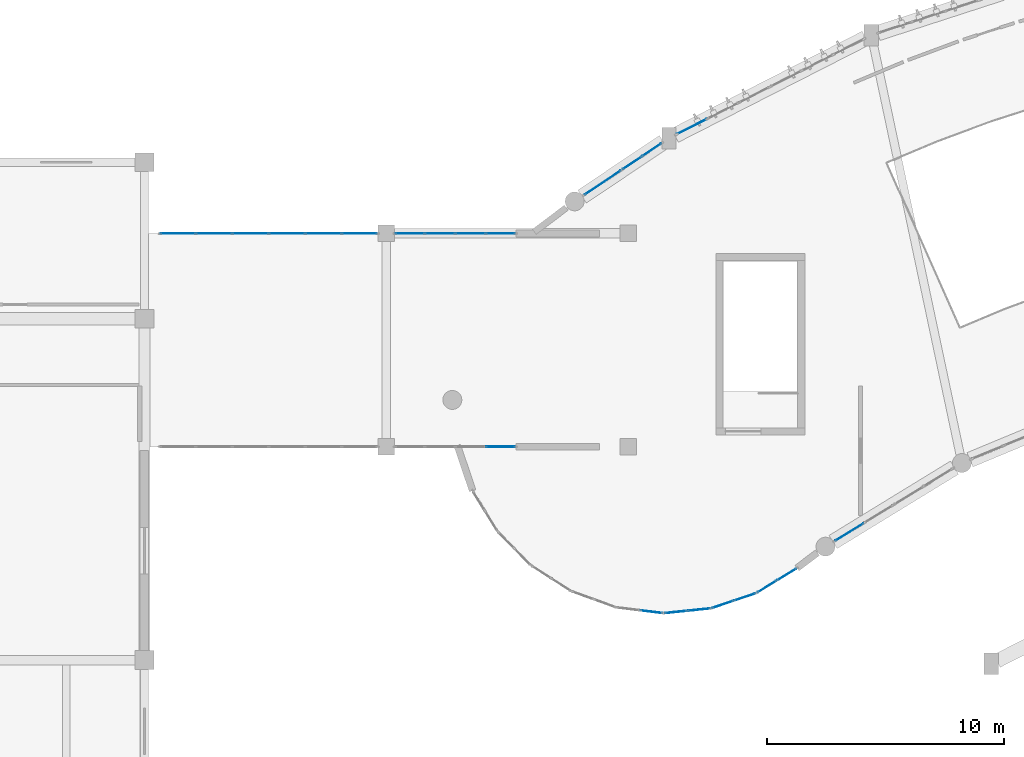
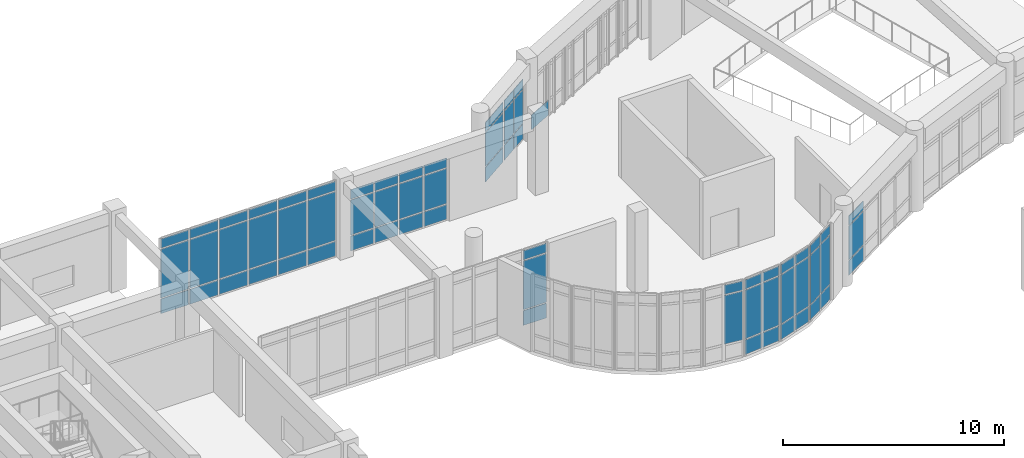
# One storey, part 33 of 54: 66 plates, 11 elements without a shape of their own.
"""IFC4 building model written with IfcOpenShell, lengths in metres."""

import ifcopenshell
import ifcopenshell.guid

model = None  # the IFC model being written
_history = None  # IfcOwnerHistory: only IFC2X3 demands one
_inside = {}  # id of a spatial element -> (the spatial element, [elements in it])
_under = {}  # id of a project, library or spatial element -> (it, [spatial elements below it])
_declared = {}  # id of a project -> (the project, [libraries it declares])
_typed = {}  # id of a type object -> (the type object, [elements of that type])
_made_of = {}  # id of a material, layer set ... -> (it, [elements and type objects made of it])


def new_model(schema):
    """Start an empty IFC model of exactly this schema.

    Asked for "IFC4X3", IfcOpenShell would pick the latest addendum, in which some entities
    have other attributes; the version numbers below select the first issue.
    IFC2X3 requires an IfcOwnerHistory on every rooted entity: one is made here for all.
    """
    global model, _history
    if schema == "IFC4X3":
        model = ifcopenshell.file(schema_version=(4, 3, 0, 0))
    else:
        model = ifcopenshell.file(schema=schema)
    _inside.clear()
    _under.clear()
    _declared.clear()
    _typed.clear()
    _made_of.clear()
    _history = None
    if model.schema == "IFC2X3":
        org = make("IfcOrganization", Name="unknown")
        user = make(
            "IfcPersonAndOrganization",
            ThePerson=make("IfcPerson", FamilyName="unknown"),
            TheOrganization=org,
        )
        app = make(
            "IfcApplication",
            ApplicationDeveloper=org,
            Version="unknown",
            ApplicationFullName="unknown",
            ApplicationIdentifier="unknown",
        )
        _history = make(
            "IfcOwnerHistory",
            OwningUser=user,
            OwningApplication=app,
            ChangeAction="ADDED",
            CreationDate=0,
        )
    return model


def make(cls, **values):
    """One entity of the class cls with the attributes given. An attribute that is None is left unset."""
    return model.create_entity(
        cls, **{name: value for name, value in values.items() if value is not None}
    )


def rooted(cls, **values):
    """An entity with a GlobalId (a new one), such as an element, a storey or a relation."""
    return make(cls, GlobalId=ifcopenshell.guid.new(), OwnerHistory=_history, **values)


def si_unit(unit_type, name, prefix=None):
    """IfcSIUnit, for example si_unit("LENGTHUNIT", "METRE", prefix="MILLI")."""
    return make("IfcSIUnit", UnitType=unit_type, Prefix=prefix, Name=name)


def assignment(units):
    """IfcUnitAssignment: the units of a project."""
    return None if units is None else make("IfcUnitAssignment", Units=units)


def point(xyz):
    """IfcCartesianPoint."""
    return None if xyz is None else make("IfcCartesianPoint", Coordinates=xyz)


def direction(xyz):
    """IfcDirection."""
    return None if xyz is None else make("IfcDirection", DirectionRatios=xyz)


def frame(location, z_axis=None, x_axis=None):
    """IfcAxis2Placement3D, a coordinate frame: its origin and axes. An axis left out is left unset."""
    return make(
        "IfcAxis2Placement3D",
        Location=point(location),
        Axis=direction(z_axis),
        RefDirection=direction(x_axis),
    )


def frame_2d(location, x_axis=None):
    """IfcAxis2Placement2D, a coordinate frame in the plane: its origin and x axis."""
    return make(
        "IfcAxis2Placement2D", Location=point(location), RefDirection=direction(x_axis)
    )


def origin():
    """The frame at (0, 0, 0) with its axes left unset."""
    return frame((0.0, 0.0, 0.0))


def origin_2d():
    """The frame at (0, 0) in the plane with its x axis left unset."""
    return frame_2d((0.0, 0.0))


def place(relative_to, where):
    """IfcLocalPlacement: puts the frame where relative to a parent placement (None: the world)."""
    return make(
        "IfcLocalPlacement", PlacementRelTo=relative_to, RelativePlacement=where
    )


def context(
    kind, dimensions, precision=None, world=None, true_north=None, identifier=None
):
    """IfcGeometricRepresentationContext, for example the 3D "Model" context."""
    return make(
        "IfcGeometricRepresentationContext",
        ContextIdentifier=identifier,
        ContextType=kind,
        CoordinateSpaceDimension=dimensions,
        Precision=precision,
        WorldCoordinateSystem=world,
        TrueNorth=true_north,
    )


def subcontext(parent, identifier, kind, view, scale=None):
    """IfcGeometricRepresentationSubContext, for example "Body" below "Model"."""
    return make(
        "IfcGeometricRepresentationSubContext",
        ContextIdentifier=identifier,
        ContextType=kind,
        ParentContext=parent,
        TargetScale=scale,
        TargetView=view,
    )


def project(units=None, contexts=None):
    """IfcProject with its units and contexts."""
    return rooted(
        "IfcProject",
        Name="project",
        RepresentationContexts=contexts,
        UnitsInContext=assignment(units),
    )


def spatial(cls, under=None, at=None, **own):
    """A site, building, storey or space (cls), placed at a placement, below another one or the project."""
    s = rooted(cls, ObjectPlacement=at, **own)
    if under is not None:
        _under.setdefault(under.id(), (under, []))[1].append(s)
    return s


def profile(cls, at=None, kind="AREA", **sizes):
    """A parametric profile (cls). Its sizes go by their IFC names, for example OverallWidth=200.0."""
    return make(cls, ProfileType=kind, Position=at, **sizes)


def rectangle(**sizes):
    """IfcRectangleProfileDef."""
    return profile("IfcRectangleProfileDef", **sizes)


def extrude(swept, where, along, depth):
    """IfcExtrudedAreaSolid: the profile swept, set in the frame where, extruded along a direction by depth."""
    return make(
        "IfcExtrudedAreaSolid",
        SweptArea=swept,
        Position=where,
        ExtrudedDirection=direction(along),
        Depth=depth,
    )


def shape(context_of_items, identifier, shape_type, items):
    """IfcShapeRepresentation: the items that make up one representation, for example the "Body"."""
    return make(
        "IfcShapeRepresentation",
        ContextOfItems=context_of_items,
        RepresentationIdentifier=identifier,
        RepresentationType=shape_type,
        Items=items,
    )


def material(Name=None, Category=None):
    """IfcMaterial."""
    return make("IfcMaterial", Name=Name, Category=Category)


def layer(
    of_material, thickness, ventilated=None, Name=None, Category=None, Priority=None
):
    """IfcMaterialLayer: one layer of a wall or slab, of a material (None: an air gap)."""
    return make(
        "IfcMaterialLayer",
        Material=of_material,
        LayerThickness=thickness,
        IsVentilated=ventilated,
        Name=Name,
        Category=Category,
        Priority=Priority,
    )


def layer_set(layers, Name=None):
    """IfcMaterialLayerSet."""
    return make("IfcMaterialLayerSet", MaterialLayers=layers, LayerSetName=Name)


def made_of(thing, what):
    """Note that an element or type object is made of a material, layer set ...; save() writes the relation."""
    if what is not None:
        _made_of.setdefault(what.id(), (what, []))[1].append(thing)
    return thing


def type_object(cls, material=None, **own):
    """A type object (cls), such as IfcWallType, which elements share."""
    return made_of(rooted(cls, **own), material)


def element(
    cls,
    number,
    at=None,
    inside=None,
    cuts=None,
    type_object=None,
    material=None,
    context=None,
    identifier="Body",
    shape_type=None,
    held_by="IfcProductDefinitionShape",
    body=None,
    shapes=None,
    **own,
):
    """One element of the class cls, such as IfcWall. Its Tag is "e" and its number.

    at: its placement. inside: the storey or other place that contains it. cuts: it is an
    opening in that element (IfcRelVoidsElement). A single representation is given by context,
    identifier, shape_type and body (its items); several are given by shapes. held_by: the class
    of the entity that holds the representations. save() writes the other relations.
    """
    e = rooted(cls, Tag="e%d" % number, ObjectPlacement=at, **own)
    if body is not None:
        shapes = [shape(context, identifier, shape_type, body)]
    if shapes is not None:
        e.Representation = make(held_by, Representations=shapes)
    if inside is not None:
        _inside.setdefault(inside.id(), (inside, []))[1].append(e)
    if cuts is not None:
        rooted(
            "IfcRelVoidsElement", RelatingBuildingElement=cuts, RelatedOpeningElement=e
        )
    if type_object is not None:
        _typed.setdefault(type_object.id(), (type_object, []))[1].append(e)
    return made_of(e, material)


def aggregate(whole, parts):
    """IfcRelAggregates: a whole, such as a stair, and the parts it consists of."""
    return rooted("IfcRelAggregates", RelatingObject=whole, RelatedObjects=parts)


def save(model, path):
    """Write the relations noted so far, then the file.

    IfcRelAggregates (storeys below a building ...), IfcRelContainedInSpatialStructure (elements
    in a storey), IfcRelDefinesByType, IfcRelAssociatesMaterial and IfcRelDeclares: one each for
    every whole, place, type object, material and project.
    """
    for whole, parts in _under.values():
        aggregate(whole, parts)
    for where, things in _inside.values():
        rooted(
            "IfcRelContainedInSpatialStructure",
            RelatedElements=things,
            RelatingStructure=where,
        )
    for kind, things in _typed.values():
        rooted("IfcRelDefinesByType", RelatedObjects=things, RelatingType=kind)
    for what, things in _made_of.values():
        rooted("IfcRelAssociatesMaterial", RelatedObjects=things, RelatingMaterial=what)
    for by, libraries in _declared.values():
        rooted("IfcRelDeclares", RelatingContext=by, RelatedDefinitions=libraries)
    model.write(path)


model = new_model("IFC4")

# Units and contexts
model_context = context("Model", 3, precision=1e-05, world=origin(), true_north=direction((0.0, 1.0)))
body_context = subcontext(model_context, "Body", "Model", "MODEL_VIEW")
ifc_project = project(units=[si_unit("LENGTHUNIT", "METRE"), si_unit("AREAUNIT", "SQUARE_METRE"), si_unit("VOLUMEUNIT", "CUBIC_METRE"), si_unit("PLANEANGLEUNIT", "RADIAN"), si_unit("MASSUNIT", "GRAM", prefix="KILO")], contexts=[model_context])

# Site, building, storey
site_placement = place(None, origin())
site = spatial("IfcSite", under=ifc_project, at=site_placement, CompositionType="ELEMENT")
building_placement = place(site_placement, origin())
building = spatial("IfcBuilding", under=site, at=building_placement, Name="Miralva Faculty of Natural Sciences", CompositionType="ELEMENT")
storey_placement = place(building_placement, frame((0.0, 0.0, 19.5)))
storey = spatial("IfcBuildingStorey", under=building, at=storey_placement, Name="L04", CompositionType="ELEMENT", Elevation=19.5)

# Curtain wall, plates
ifc_material = material(Name="Laminated solar-control glass", Category="glass")
ifc_layer_1 = layer(ifc_material, 0.179931640625, Name="CW-ARC-L03")
ifc_layer_set_1 = layer_set([ifc_layer_1], Name="Laminated solar-control glass")
curtain_wall_type_1 = type_object("IfcCurtainWallType", Name="CW-ARC-L03", PredefinedType="USERDEFINED", material=ifc_layer_set_1)
curtain_wall_1_placement = place(storey_placement, origin())
curtain_wall_1 = element("IfcCurtainWall", 1, at=curtain_wall_1_placement, inside=storey, type_object=curtain_wall_type_1, Name="Curtain wall CW-03 L04-157", ObjectType="UNITISED CURTAIN WALL", PredefinedType="USERDEFINED")
ifc_layer_2 = layer(ifc_material, 0.028076171875, Name="PNL-P01")
ifc_layer_set_2 = layer_set([ifc_layer_2], Name="Laminated solar-control glass")
plate_type = type_object("IfcPlateType", Name="PNL-P01", PredefinedType="CURTAIN_PANEL", material=ifc_layer_set_2)
plate_1_placement = place(storey_placement, frame((65.72998046875, 14.403564453125, 0.06494140625), z_axis=(0.0, 0.0, 1.0), x_axis=(0.852640729642, 0.522497642249, 0.0)))
plate_1 = element("IfcPlate", 2, at=plate_1_placement, type_object=plate_type, Name="CW-03 panel 1.1", PredefinedType="CURTAIN_PANEL", context=body_context, shape_type="SweptSolid", body=[
    extrude(rectangle(XDim=1.376953125, YDim=0.028076171875, at=origin_2d()), origin(), (0.0, 0.0, 1.0), 0.802490234375),
])
plate_2_placement = place(storey_placement, frame((65.72998046875, 14.403564453125, 0.9326171875), z_axis=(0.0, 0.0, 1.0), x_axis=(0.852640729642, 0.522497642249, 0.0)))
plate_2 = element("IfcPlate", 3, at=plate_2_placement, type_object=plate_type, Name="CW-03 panel 1.2", PredefinedType="CURTAIN_PANEL", context=body_context, shape_type="SweptSolid", body=[
    extrude(rectangle(XDim=1.376953125, YDim=0.028076171875, at=origin_2d()), origin(), (0.0, 0.0, 1.0), 1.840087890625),
])
plate_3_placement = place(storey_placement, frame((65.72998046875, 14.403564453125, 2.837646484375), z_axis=(0.0, 0.0, 1.0), x_axis=(0.852640729642, 0.522497642249, 0.0)))
plate_3 = element("IfcPlate", 4, at=plate_3_placement, type_object=plate_type, Name="CW-03 panel 1.3", PredefinedType="CURTAIN_PANEL", context=body_context, shape_type="SweptSolid", body=[
    extrude(rectangle(XDim=1.376953125, YDim=0.028076171875, at=origin_2d()), origin(), (0.0, 0.0, 1.0), 0.50244140625),
])
aggregate(curtain_wall_1, [plate_1, plate_2, plate_3])

curtain_wall_2_placement = place(storey_placement, origin())
curtain_wall_2 = element("IfcCurtainWall", 5, at=curtain_wall_2_placement, inside=storey, type_object=curtain_wall_type_1, Name="Curtain wall CW-03 L04-173", ObjectType="UNITISED CURTAIN WALL", PredefinedType="USERDEFINED")
plate_4_placement = place(storey_placement, frame((55.333984375, 29.14453125, 0.06005859375), z_axis=(0.0, 0.0, 1.0), x_axis=(0.831483840844, 0.555548937913, 0.0)))
plate_4 = element("IfcPlate", 6, at=plate_4_placement, type_object=plate_type, Name="CW-03 panel 1.1", PredefinedType="CURTAIN_PANEL", context=body_context, shape_type="SweptSolid", body=[
    extrude(rectangle(XDim=1.7998046875, YDim=0.028076171875, at=origin_2d()), origin(), (0.0, 0.0, 1.0), 0.81005859375),
])
plate_5_placement = place(storey_placement, frame((55.333984375, 29.14453125, 0.93017578125), z_axis=(0.0, 0.0, 1.0), x_axis=(0.831483840844, 0.555548937913, 0.0)))
plate_5 = element("IfcPlate", 7, at=plate_5_placement, type_object=plate_type, Name="CW-03 panel 1.2", PredefinedType="CURTAIN_PANEL", context=body_context, shape_type="SweptSolid", body=[
    extrude(rectangle(XDim=1.7998046875, YDim=0.028076171875, at=origin_2d()), origin(), (0.0, 0.0, 1.0), 1.844970703125),
])
plate_6_placement = place(storey_placement, frame((55.333984375, 29.14453125, 2.8349609375), z_axis=(0.0, 0.0, 1.0), x_axis=(0.831483840844, 0.555548937913, 0.0)))
plate_6 = element("IfcPlate", 8, at=plate_6_placement, type_object=plate_type, Name="CW-03 panel 1.3", PredefinedType="CURTAIN_PANEL", context=body_context, shape_type="SweptSolid", body=[
    extrude(rectangle(XDim=1.7998046875, YDim=0.028076171875, at=origin_2d()), origin(), (0.0, 0.0, 1.0), 0.510009765625),
])
aggregate(curtain_wall_2, [plate_4, plate_5, plate_6])

curtain_wall_3_placement = place(storey_placement, origin())
curtain_wall_3 = element("IfcCurtainWall", 9, at=curtain_wall_3_placement, inside=storey, type_object=curtain_wall_type_1, Name="Curtain wall CW-03 L04-174", ObjectType="UNITISED CURTAIN WALL", PredefinedType="USERDEFINED")
plate_7_placement = place(storey_placement, frame((56.57275390625, 29.97216796875, 0.06005859375), z_axis=(0.0, 0.0, 1.0), x_axis=(0.831458377074, 0.55558704736, 0.0)))
plate_7 = element("IfcPlate", 10, at=plate_7_placement, type_object=plate_type, Name="CW-03 panel 1.1", PredefinedType="CURTAIN_PANEL", context=body_context, shape_type="SweptSolid", body=[
    extrude(rectangle(XDim=0.929931640625, YDim=0.028076171875, at=origin_2d()), origin(), (0.0, 0.0, 1.0), 0.81005859375),
])
plate_8_placement = place(storey_placement, frame((56.57275390625, 29.97216796875, 0.93017578125), z_axis=(0.0, 0.0, 1.0), x_axis=(0.831458377074, 0.55558704736, 0.0)))
plate_8 = element("IfcPlate", 11, at=plate_8_placement, type_object=plate_type, Name="CW-03 panel 1.2", PredefinedType="CURTAIN_PANEL", context=body_context, shape_type="SweptSolid", body=[
    extrude(rectangle(XDim=0.929931640625, YDim=0.028076171875, at=origin_2d()), origin(), (0.0, 0.0, 1.0), 1.844970703125),
])
plate_9_placement = place(storey_placement, frame((56.57275390625, 29.97216796875, 2.8349609375), z_axis=(0.0, 0.0, 1.0), x_axis=(0.831458377074, 0.55558704736, 0.0)))
plate_9 = element("IfcPlate", 12, at=plate_9_placement, type_object=plate_type, Name="CW-03 panel 1.3", PredefinedType="CURTAIN_PANEL", context=body_context, shape_type="SweptSolid", body=[
    extrude(rectangle(XDim=0.929931640625, YDim=0.028076171875, at=origin_2d()), origin(), (0.0, 0.0, 1.0), 0.510009765625),
])
plate_10_placement = place(storey_placement, frame((57.400146484375, 30.52490234375, 0.06005859375), z_axis=(0.0, 0.0, 1.0), x_axis=(0.831458377074, 0.55558704736, 0.0)))
plate_10 = element("IfcPlate", 13, at=plate_10_placement, type_object=plate_type, Name="CW-03 panel 2.1", PredefinedType="CURTAIN_PANEL", context=body_context, shape_type="SweptSolid", body=[
    extrude(rectangle(XDim=0.929931640625, YDim=0.028076171875, at=origin_2d()), origin(), (0.0, 0.0, 1.0), 0.81005859375),
])
plate_11_placement = place(storey_placement, frame((57.400146484375, 30.52490234375, 0.93017578125), z_axis=(0.0, 0.0, 1.0), x_axis=(0.831458377074, 0.55558704736, 0.0)))
plate_11 = element("IfcPlate", 14, at=plate_11_placement, type_object=plate_type, Name="CW-03 panel 2.2", PredefinedType="CURTAIN_PANEL", context=body_context, shape_type="SweptSolid", body=[
    extrude(rectangle(XDim=0.929931640625, YDim=0.028076171875, at=origin_2d()), origin(), (0.0, 0.0, 1.0), 1.844970703125),
])
plate_12_placement = place(storey_placement, frame((57.400146484375, 30.52490234375, 2.8349609375), z_axis=(0.0, 0.0, 1.0), x_axis=(0.831458377074, 0.55558704736, 0.0)))
plate_12 = element("IfcPlate", 15, at=plate_12_placement, type_object=plate_type, Name="CW-03 panel 2.3", PredefinedType="CURTAIN_PANEL", context=body_context, shape_type="SweptSolid", body=[
    extrude(rectangle(XDim=0.929931640625, YDim=0.028076171875, at=origin_2d()), origin(), (0.0, 0.0, 1.0), 0.510009765625),
])
aggregate(curtain_wall_3, [plate_7, plate_8, plate_9, plate_10, plate_11, plate_12])

# Curtain wall, plate
curtain_wall_4_placement = place(storey_placement, origin())
curtain_wall_4 = element("IfcCurtainWall", 16, at=curtain_wall_4_placement, inside=storey, type_object=curtain_wall_type_1, Name="Curtain wall CW-03 L04-175", ObjectType="UNITISED CURTAIN WALL", PredefinedType="USERDEFINED")
plate_13_placement = place(storey_placement, frame((59.086669921875, 31.499755859375, 0.06005859375), z_axis=(0.0, 0.0, 1.0), x_axis=(0.89100160052, 0.454000162854, 0.0)))
plate_13 = element("IfcPlate", 17, at=plate_13_placement, type_object=plate_type, Name="CW-03 panel 1.1", PredefinedType="CURTAIN_PANEL", context=body_context, shape_type="SweptSolid", body=[
    extrude(rectangle(XDim=1.392822265625, YDim=0.028076171875, at=origin_2d()), origin(), (0.0, 0.0, 1.0), 0.81005859375),
])
aggregate(curtain_wall_4, [plate_13])

# Curtain wall, plates
ifc_layer_3 = layer(ifc_material, 0.179931640625, Name="CW-RND-L03")
ifc_layer_set_3 = layer_set([ifc_layer_3], Name="Laminated solar-control glass")
curtain_wall_type_2 = type_object("IfcCurtainWallType", Name="CW-RND-L03", PredefinedType="USERDEFINED", material=ifc_layer_set_3)
curtain_wall_5_placement = place(storey_placement, origin())
curtain_wall_5 = element("IfcCurtainWall", 18, at=curtain_wall_5_placement, inside=storey, type_object=curtain_wall_type_2, Name="Curtain wall CW-06 L04-189", ObjectType="UNITISED CURTAIN WALL", PredefinedType="USERDEFINED")
plate_14_placement = place(storey_placement, frame((62.253662109375, 12.102294921875, 0.06005859375), z_axis=(0.0, 0.0, 1.0), x_axis=(0.851994617353, 0.523550543884, 0.0)))
plate_14 = element("IfcPlate", 19, at=plate_14_placement, type_object=plate_type, Name="CW-06 panel 1.1", PredefinedType="CURTAIN_PANEL", context=body_context, shape_type="SweptSolid", body=[
    extrude(rectangle(XDim=0.91259765625, YDim=0.028076171875, at=origin_2d()), origin(), (0.0, 0.0, 1.0), 0.81005859375),
])
plate_15_placement = place(storey_placement, frame((62.253662109375, 12.102294921875, 0.929931640625), z_axis=(0.0, 0.0, 1.0), x_axis=(0.851994617353, 0.523550543884, 0.0)))
plate_15 = element("IfcPlate", 20, at=plate_15_placement, type_object=plate_type, Name="CW-06 panel 1.2", PredefinedType="CURTAIN_PANEL", context=body_context, shape_type="SweptSolid", body=[
    extrude(rectangle(XDim=0.91259765625, YDim=0.028076171875, at=origin_2d()), origin(), (0.0, 0.0, 1.0), 2.68994140625),
])
plate_16_placement = place(storey_placement, frame((62.253662109375, 12.102294921875, 3.68017578125), z_axis=(0.0, 0.0, 1.0), x_axis=(0.851994617353, 0.523550543884, 0.0)))
plate_16 = element("IfcPlate", 21, at=plate_16_placement, type_object=plate_type, Name="CW-06 panel 1.3", PredefinedType="CURTAIN_PANEL", context=body_context, shape_type="SweptSolid", body=[
    extrude(rectangle(XDim=0.91259765625, YDim=0.028076171875, at=origin_2d()), origin(), (0.0, 0.0, 1.0), 0.510009765625),
])
plate_17_placement = place(storey_placement, frame((63.086669921875, 12.6142578125, 0.06005859375), z_axis=(0.0, 0.0, 1.0), x_axis=(0.851994617353, 0.523550543884, 0.0)))
plate_17 = element("IfcPlate", 22, at=plate_17_placement, type_object=plate_type, Name="CW-06 panel 2.1", PredefinedType="CURTAIN_PANEL", context=body_context, shape_type="SweptSolid", body=[
    extrude(rectangle(XDim=0.91259765625, YDim=0.028076171875, at=origin_2d()), origin(), (0.0, 0.0, 1.0), 0.81005859375),
])
plate_18_placement = place(storey_placement, frame((63.086669921875, 12.6142578125, 0.929931640625), z_axis=(0.0, 0.0, 1.0), x_axis=(0.851994617353, 0.523550543884, 0.0)))
plate_18 = element("IfcPlate", 23, at=plate_18_placement, type_object=plate_type, Name="CW-06 panel 2.2", PredefinedType="CURTAIN_PANEL", context=body_context, shape_type="SweptSolid", body=[
    extrude(rectangle(XDim=0.91259765625, YDim=0.028076171875, at=origin_2d()), origin(), (0.0, 0.0, 1.0), 2.68994140625),
])
plate_19_placement = place(storey_placement, frame((63.086669921875, 12.6142578125, 3.68017578125), z_axis=(0.0, 0.0, 1.0), x_axis=(0.851994617353, 0.523550543884, 0.0)))
plate_19 = element("IfcPlate", 24, at=plate_19_placement, type_object=plate_type, Name="CW-06 panel 2.3", PredefinedType="CURTAIN_PANEL", context=body_context, shape_type="SweptSolid", body=[
    extrude(rectangle(XDim=0.91259765625, YDim=0.028076171875, at=origin_2d()), origin(), (0.0, 0.0, 1.0), 0.510009765625),
])
aggregate(curtain_wall_5, [plate_14, plate_15, plate_16, plate_17, plate_18, plate_19])

curtain_wall_6_placement = place(storey_placement, origin())
curtain_wall_6 = element("IfcCurtainWall", 25, at=curtain_wall_6_placement, inside=storey, type_object=curtain_wall_type_2, Name="Curtain wall CW-06 L04-190", ObjectType="UNITISED CURTAIN WALL", PredefinedType="USERDEFINED")
plate_20_placement = place(storey_placement, frame((60.39453125, 11.349853515625, 0.06005859375), z_axis=(0.0, 0.0, 1.0), x_axis=(0.947132688672, 0.320842126361, 0.0)))
plate_20 = element("IfcPlate", 26, at=plate_20_placement, type_object=plate_type, Name="CW-06 panel 1.1", PredefinedType="CURTAIN_PANEL", context=body_context, shape_type="SweptSolid", body=[
    extrude(rectangle(XDim=0.91259765625, YDim=0.028076171875, at=origin_2d()), origin(), (0.0, 0.0, 1.0), 0.81005859375),
])
plate_21_placement = place(storey_placement, frame((60.39453125, 11.349853515625, 0.929931640625), z_axis=(0.0, 0.0, 1.0), x_axis=(0.947132688672, 0.320842126361, 0.0)))
plate_21 = element("IfcPlate", 27, at=plate_21_placement, type_object=plate_type, Name="CW-06 panel 1.2", PredefinedType="CURTAIN_PANEL", context=body_context, shape_type="SweptSolid", body=[
    extrude(rectangle(XDim=0.91259765625, YDim=0.028076171875, at=origin_2d()), origin(), (0.0, 0.0, 1.0), 2.68994140625),
])
plate_22_placement = place(storey_placement, frame((60.39453125, 11.349853515625, 3.68017578125), z_axis=(0.0, 0.0, 1.0), x_axis=(0.947132688672, 0.320842126361, 0.0)))
plate_22 = element("IfcPlate", 28, at=plate_22_placement, type_object=plate_type, Name="CW-06 panel 1.3", PredefinedType="CURTAIN_PANEL", context=body_context, shape_type="SweptSolid", body=[
    extrude(rectangle(XDim=0.91259765625, YDim=0.028076171875, at=origin_2d()), origin(), (0.0, 0.0, 1.0), 0.510009765625),
])
plate_23_placement = place(storey_placement, frame((61.3203125, 11.66357421875, 0.06005859375), z_axis=(0.0, 0.0, 1.0), x_axis=(0.947132688672, 0.320842126361, 0.0)))
plate_23 = element("IfcPlate", 29, at=plate_23_placement, type_object=plate_type, Name="CW-06 panel 2.1", PredefinedType="CURTAIN_PANEL", context=body_context, shape_type="SweptSolid", body=[
    extrude(rectangle(XDim=0.91259765625, YDim=0.028076171875, at=origin_2d()), origin(), (0.0, 0.0, 1.0), 0.81005859375),
])
plate_24_placement = place(storey_placement, frame((61.3203125, 11.66357421875, 0.929931640625), z_axis=(0.0, 0.0, 1.0), x_axis=(0.947132688672, 0.320842126361, 0.0)))
plate_24 = element("IfcPlate", 30, at=plate_24_placement, type_object=plate_type, Name="CW-06 panel 2.2", PredefinedType="CURTAIN_PANEL", context=body_context, shape_type="SweptSolid", body=[
    extrude(rectangle(XDim=0.91259765625, YDim=0.028076171875, at=origin_2d()), origin(), (0.0, 0.0, 1.0), 2.68994140625),
])
plate_25_placement = place(storey_placement, frame((61.3203125, 11.66357421875, 3.68017578125), z_axis=(0.0, 0.0, 1.0), x_axis=(0.947132688672, 0.320842126361, 0.0)))
plate_25 = element("IfcPlate", 31, at=plate_25_placement, type_object=plate_type, Name="CW-06 panel 2.3", PredefinedType="CURTAIN_PANEL", context=body_context, shape_type="SweptSolid", body=[
    extrude(rectangle(XDim=0.91259765625, YDim=0.028076171875, at=origin_2d()), origin(), (0.0, 0.0, 1.0), 0.510009765625),
])
aggregate(curtain_wall_6, [plate_20, plate_21, plate_22, plate_23, plate_24, plate_25])

curtain_wall_7_placement = place(storey_placement, origin())
curtain_wall_7 = element("IfcCurtainWall", 32, at=curtain_wall_7_placement, inside=storey, type_object=curtain_wall_type_2, Name="Curtain wall CW-06 L04-191", ObjectType="UNITISED CURTAIN WALL", PredefinedType="USERDEFINED")
plate_26_placement = place(storey_placement, frame((58.41455078125, 11.0302734375, 0.06005859375), z_axis=(0.0, 0.0, 1.0), x_axis=(0.994778604482, 0.102056494477, 0.0)))
plate_26 = element("IfcPlate", 33, at=plate_26_placement, type_object=plate_type, Name="CW-06 panel 1.1", PredefinedType="CURTAIN_PANEL", context=body_context, shape_type="SweptSolid", body=[
    extrude(rectangle(XDim=0.912841796875, YDim=0.028076171875, at=origin_2d()), origin(), (0.0, 0.0, 1.0), 0.81005859375),
])
plate_27_placement = place(storey_placement, frame((58.41455078125, 11.0302734375, 0.929931640625), z_axis=(0.0, 0.0, 1.0), x_axis=(0.994778604482, 0.102056494477, 0.0)))
plate_27 = element("IfcPlate", 34, at=plate_27_placement, type_object=plate_type, Name="CW-06 panel 1.2", PredefinedType="CURTAIN_PANEL", context=body_context, shape_type="SweptSolid", body=[
    extrude(rectangle(XDim=0.912841796875, YDim=0.028076171875, at=origin_2d()), origin(), (0.0, 0.0, 1.0), 2.68994140625),
])
plate_28_placement = place(storey_placement, frame((58.41455078125, 11.0302734375, 3.68017578125), z_axis=(0.0, 0.0, 1.0), x_axis=(0.994778604482, 0.102056494477, 0.0)))
plate_28 = element("IfcPlate", 35, at=plate_28_placement, type_object=plate_type, Name="CW-06 panel 1.3", PredefinedType="CURTAIN_PANEL", context=body_context, shape_type="SweptSolid", body=[
    extrude(rectangle(XDim=0.912841796875, YDim=0.028076171875, at=origin_2d()), origin(), (0.0, 0.0, 1.0), 0.510009765625),
])
plate_29_placement = place(storey_placement, frame((59.386962890625, 11.1298828125, 0.06005859375), z_axis=(0.0, 0.0, 1.0), x_axis=(0.994778604482, 0.102056494477, 0.0)))
plate_29 = element("IfcPlate", 36, at=plate_29_placement, type_object=plate_type, Name="CW-06 panel 2.1", PredefinedType="CURTAIN_PANEL", context=body_context, shape_type="SweptSolid", body=[
    extrude(rectangle(XDim=0.912841796875, YDim=0.028076171875, at=origin_2d()), origin(), (0.0, 0.0, 1.0), 0.81005859375),
])
plate_30_placement = place(storey_placement, frame((59.386962890625, 11.1298828125, 0.929931640625), z_axis=(0.0, 0.0, 1.0), x_axis=(0.994778604482, 0.102056494477, 0.0)))
plate_30 = element("IfcPlate", 37, at=plate_30_placement, type_object=plate_type, Name="CW-06 panel 2.2", PredefinedType="CURTAIN_PANEL", context=body_context, shape_type="SweptSolid", body=[
    extrude(rectangle(XDim=0.912841796875, YDim=0.028076171875, at=origin_2d()), origin(), (0.0, 0.0, 1.0), 2.68994140625),
])
plate_31_placement = place(storey_placement, frame((59.386962890625, 11.1298828125, 3.68017578125), z_axis=(0.0, 0.0, 1.0), x_axis=(0.994778604482, 0.102056494477, 0.0)))
plate_31 = element("IfcPlate", 38, at=plate_31_placement, type_object=plate_type, Name="CW-06 panel 2.3", PredefinedType="CURTAIN_PANEL", context=body_context, shape_type="SweptSolid", body=[
    extrude(rectangle(XDim=0.912841796875, YDim=0.028076171875, at=origin_2d()), origin(), (0.0, 0.0, 1.0), 0.510009765625),
])
aggregate(curtain_wall_7, [plate_26, plate_27, plate_28, plate_29, plate_30, plate_31])

curtain_wall_8_placement = place(storey_placement, origin())
curtain_wall_8 = element("IfcCurtainWall", 39, at=curtain_wall_8_placement, inside=storey, type_object=curtain_wall_type_2, Name="Curtain wall CW-06 L04-192", ObjectType="UNITISED CURTAIN WALL", PredefinedType="USERDEFINED")
plate_32_placement = place(storey_placement, frame((57.38330078125, 11.0400390625, 0.929931640625), z_axis=(0.0, 0.0, 1.0), x_axis=(0.99254734183, -0.121859649701, 0.0)))
plate_32 = element("IfcPlate", 40, at=plate_32_placement, type_object=plate_type, Name="CW-06 panel 2.2", PredefinedType="CURTAIN_PANEL", context=body_context, shape_type="SweptSolid", body=[
    extrude(rectangle(XDim=0.91259765625, YDim=0.028076171875, at=origin_2d()), origin(), (0.0, 0.0, 1.0), 2.68994140625),
])
plate_33_placement = place(storey_placement, frame((57.38330078125, 11.0400390625, 3.68017578125), z_axis=(0.0, 0.0, 1.0), x_axis=(0.99254734183, -0.121859649701, 0.0)))
plate_33 = element("IfcPlate", 41, at=plate_33_placement, type_object=plate_type, Name="CW-06 panel 2.3", PredefinedType="CURTAIN_PANEL", context=body_context, shape_type="SweptSolid", body=[
    extrude(rectangle(XDim=0.91259765625, YDim=0.028076171875, at=origin_2d()), origin(), (0.0, 0.0, 1.0), 0.510009765625),
])
aggregate(curtain_wall_8, [plate_32, plate_33])

ifc_layer_4 = layer(ifc_material, 0.179931640625, Name="CW-COM-L01")
ifc_layer_set_4 = layer_set([ifc_layer_4], Name="Laminated solar-control glass")
curtain_wall_type_3 = type_object("IfcCurtainWallType", Name="CW-COM-L01", PredefinedType="USERDEFINED", material=ifc_layer_set_4)
curtain_wall_9_placement = place(storey_placement, origin())
curtain_wall_9 = element("IfcCurtainWall", 42, at=curtain_wall_9_placement, inside=storey, type_object=curtain_wall_type_3, Name="Curtain wall CW-10 L04-307", ObjectType="UNITISED CURTAIN WALL", PredefinedType="USERDEFINED")
plate_34_placement = place(storey_placement, frame((51.02197265625, 18.0, 0.06005859375), z_axis=(0.0, 0.0, 1.0), x_axis=(1.0, 0.0, 0.0)))
plate_34 = element("IfcPlate", 43, at=plate_34_placement, type_object=plate_type, Name="CW-10 panel 4.1", PredefinedType="CURTAIN_PANEL", context=body_context, shape_type="SweptSolid", body=[
    extrude(rectangle(XDim=1.1962890625, YDim=0.028076171875, at=origin_2d()), origin(), (0.0, 0.0, 1.0), 0.81005859375),
])
plate_35_placement = place(storey_placement, frame((51.02197265625, 18.0, 0.929931640625), z_axis=(0.0, 0.0, 1.0), x_axis=(1.0, 0.0, 0.0)))
plate_35 = element("IfcPlate", 44, at=plate_35_placement, type_object=plate_type, Name="CW-10 panel 4.2", PredefinedType="CURTAIN_PANEL", context=body_context, shape_type="SweptSolid", body=[
    extrude(rectangle(XDim=1.1962890625, YDim=0.028076171875, at=origin_2d()), origin(), (0.0, 0.0, 1.0), 2.68994140625),
])
plate_36_placement = place(storey_placement, frame((51.02197265625, 18.0, 3.68017578125), z_axis=(0.0, 0.0, 1.0), x_axis=(1.0, 0.0, 0.0)))
plate_36 = element("IfcPlate", 45, at=plate_36_placement, type_object=plate_type, Name="CW-10 panel 4.3", PredefinedType="CURTAIN_PANEL", context=body_context, shape_type="SweptSolid", body=[
    extrude(rectangle(XDim=1.1962890625, YDim=0.028076171875, at=origin_2d()), origin(), (0.0, 0.0, 1.0), 0.510009765625),
])
aggregate(curtain_wall_9, [plate_34, plate_35, plate_36])

curtain_wall_10_placement = place(storey_placement, origin())
curtain_wall_10 = element("IfcCurtainWall", 46, at=curtain_wall_10_placement, inside=storey, type_object=curtain_wall_type_3, Name="Curtain wall CW-10 L04-309", ObjectType="UNITISED CURTAIN WALL", PredefinedType="USERDEFINED")
plate_37_placement = place(storey_placement, frame((37.405517578125, 27.0, 0.06005859375), z_axis=(0.0, 0.0, 1.0), x_axis=(1.0, 0.0, 0.0)))
plate_37 = element("IfcPlate", 47, at=plate_37_placement, type_object=plate_type, Name="CW-10 panel 1.1", PredefinedType="CURTAIN_PANEL", context=body_context, shape_type="SweptSolid", body=[
    extrude(rectangle(XDim=1.450927734375, YDim=0.028076171875, at=origin_2d()), origin(), (0.0, 0.0, 1.0), 0.81005859375),
])
plate_38_placement = place(storey_placement, frame((37.405517578125, 27.0, 0.929931640625), z_axis=(0.0, 0.0, 1.0), x_axis=(1.0, 0.0, 0.0)))
plate_38 = element("IfcPlate", 48, at=plate_38_placement, type_object=plate_type, Name="CW-10 panel 1.2", PredefinedType="CURTAIN_PANEL", context=body_context, shape_type="SweptSolid", body=[
    extrude(rectangle(XDim=1.450927734375, YDim=0.028076171875, at=origin_2d()), origin(), (0.0, 0.0, 1.0), 2.68994140625),
])
plate_39_placement = place(storey_placement, frame((37.405517578125, 27.0, 3.68017578125), z_axis=(0.0, 0.0, 1.0), x_axis=(1.0, 0.0, 0.0)))
plate_39 = element("IfcPlate", 49, at=plate_39_placement, type_object=plate_type, Name="CW-10 panel 1.3", PredefinedType="CURTAIN_PANEL", context=body_context, shape_type="SweptSolid", body=[
    extrude(rectangle(XDim=1.450927734375, YDim=0.028076171875, at=origin_2d()), origin(), (0.0, 0.0, 1.0), 0.510009765625),
])
plate_40_placement = place(storey_placement, frame((38.93115234375, 27.0, 0.06005859375), z_axis=(0.0, 0.0, 1.0), x_axis=(1.0, 0.0, 0.0)))
plate_40 = element("IfcPlate", 50, at=plate_40_placement, type_object=plate_type, Name="CW-10 panel 2.1", PredefinedType="CURTAIN_PANEL", context=body_context, shape_type="SweptSolid", body=[
    extrude(rectangle(XDim=1.480712890625, YDim=0.028076171875, at=origin_2d()), origin(), (0.0, 0.0, 1.0), 0.81005859375),
])
plate_41_placement = place(storey_placement, frame((38.93115234375, 27.0, 0.929931640625), z_axis=(0.0, 0.0, 1.0), x_axis=(1.0, 0.0, 0.0)))
plate_41 = element("IfcPlate", 51, at=plate_41_placement, type_object=plate_type, Name="CW-10 panel 2.2", PredefinedType="CURTAIN_PANEL", context=body_context, shape_type="SweptSolid", body=[
    extrude(rectangle(XDim=1.480712890625, YDim=0.028076171875, at=origin_2d()), origin(), (0.0, 0.0, 1.0), 2.68994140625),
])
plate_42_placement = place(storey_placement, frame((38.93115234375, 27.0, 3.68017578125), z_axis=(0.0, 0.0, 1.0), x_axis=(1.0, 0.0, 0.0)))
plate_42 = element("IfcPlate", 52, at=plate_42_placement, type_object=plate_type, Name="CW-10 panel 2.3", PredefinedType="CURTAIN_PANEL", context=body_context, shape_type="SweptSolid", body=[
    extrude(rectangle(XDim=1.480712890625, YDim=0.028076171875, at=origin_2d()), origin(), (0.0, 0.0, 1.0), 0.510009765625),
])
plate_43_placement = place(storey_placement, frame((40.47216796875, 27.0, 0.06005859375), z_axis=(0.0, 0.0, 1.0), x_axis=(1.0, 0.0, 0.0)))
plate_43 = element("IfcPlate", 53, at=plate_43_placement, type_object=plate_type, Name="CW-10 panel 3.1", PredefinedType="CURTAIN_PANEL", context=body_context, shape_type="SweptSolid", body=[
    extrude(rectangle(XDim=1.480712890625, YDim=0.028076171875, at=origin_2d()), origin(), (0.0, 0.0, 1.0), 0.81005859375),
])
plate_44_placement = place(storey_placement, frame((40.47216796875, 27.0, 0.929931640625), z_axis=(0.0, 0.0, 1.0), x_axis=(1.0, 0.0, 0.0)))
plate_44 = element("IfcPlate", 54, at=plate_44_placement, type_object=plate_type, Name="CW-10 panel 3.2", PredefinedType="CURTAIN_PANEL", context=body_context, shape_type="SweptSolid", body=[
    extrude(rectangle(XDim=1.480712890625, YDim=0.028076171875, at=origin_2d()), origin(), (0.0, 0.0, 1.0), 2.68994140625),
])
plate_45_placement = place(storey_placement, frame((40.47216796875, 27.0, 3.68017578125), z_axis=(0.0, 0.0, 1.0), x_axis=(1.0, 0.0, 0.0)))
plate_45 = element("IfcPlate", 55, at=plate_45_placement, type_object=plate_type, Name="CW-10 panel 3.3", PredefinedType="CURTAIN_PANEL", context=body_context, shape_type="SweptSolid", body=[
    extrude(rectangle(XDim=1.480712890625, YDim=0.028076171875, at=origin_2d()), origin(), (0.0, 0.0, 1.0), 0.510009765625),
])
plate_46_placement = place(storey_placement, frame((42.012939453125, 27.0, 0.06005859375), z_axis=(0.0, 0.0, 1.0), x_axis=(1.0, 0.0, 0.0)))
plate_46 = element("IfcPlate", 56, at=plate_46_placement, type_object=plate_type, Name="CW-10 panel 4.1", PredefinedType="CURTAIN_PANEL", context=body_context, shape_type="SweptSolid", body=[
    extrude(rectangle(XDim=1.480712890625, YDim=0.028076171875, at=origin_2d()), origin(), (0.0, 0.0, 1.0), 0.81005859375),
])
plate_47_placement = place(storey_placement, frame((42.012939453125, 27.0, 0.929931640625), z_axis=(0.0, 0.0, 1.0), x_axis=(1.0, 0.0, 0.0)))
plate_47 = element("IfcPlate", 57, at=plate_47_placement, type_object=plate_type, Name="CW-10 panel 4.2", PredefinedType="CURTAIN_PANEL", context=body_context, shape_type="SweptSolid", body=[
    extrude(rectangle(XDim=1.480712890625, YDim=0.028076171875, at=origin_2d()), origin(), (0.0, 0.0, 1.0), 2.68994140625),
])
plate_48_placement = place(storey_placement, frame((42.012939453125, 27.0, 3.68017578125), z_axis=(0.0, 0.0, 1.0), x_axis=(1.0, 0.0, 0.0)))
plate_48 = element("IfcPlate", 58, at=plate_48_placement, type_object=plate_type, Name="CW-10 panel 4.3", PredefinedType="CURTAIN_PANEL", context=body_context, shape_type="SweptSolid", body=[
    extrude(rectangle(XDim=1.480712890625, YDim=0.028076171875, at=origin_2d()), origin(), (0.0, 0.0, 1.0), 0.510009765625),
])
plate_49_placement = place(storey_placement, frame((43.5537109375, 27.0, 0.06005859375), z_axis=(0.0, 0.0, 1.0), x_axis=(1.0, 0.0, 0.0)))
plate_49 = element("IfcPlate", 59, at=plate_49_placement, type_object=plate_type, Name="CW-10 panel 5.1", PredefinedType="CURTAIN_PANEL", context=body_context, shape_type="SweptSolid", body=[
    extrude(rectangle(XDim=1.480712890625, YDim=0.028076171875, at=origin_2d()), origin(), (0.0, 0.0, 1.0), 0.81005859375),
])
plate_50_placement = place(storey_placement, frame((43.5537109375, 27.0, 0.929931640625), z_axis=(0.0, 0.0, 1.0), x_axis=(1.0, 0.0, 0.0)))
plate_50 = element("IfcPlate", 60, at=plate_50_placement, type_object=plate_type, Name="CW-10 panel 5.2", PredefinedType="CURTAIN_PANEL", context=body_context, shape_type="SweptSolid", body=[
    extrude(rectangle(XDim=1.480712890625, YDim=0.028076171875, at=origin_2d()), origin(), (0.0, 0.0, 1.0), 2.68994140625),
])
plate_51_placement = place(storey_placement, frame((43.5537109375, 27.0, 3.68017578125), z_axis=(0.0, 0.0, 1.0), x_axis=(1.0, 0.0, 0.0)))
plate_51 = element("IfcPlate", 61, at=plate_51_placement, type_object=plate_type, Name="CW-10 panel 5.3", PredefinedType="CURTAIN_PANEL", context=body_context, shape_type="SweptSolid", body=[
    extrude(rectangle(XDim=1.480712890625, YDim=0.028076171875, at=origin_2d()), origin(), (0.0, 0.0, 1.0), 0.510009765625),
])
plate_52_placement = place(storey_placement, frame((45.07958984375, 27.0, 0.06005859375), z_axis=(0.0, 0.0, 1.0), x_axis=(1.0, 0.0, 0.0)))
plate_52 = element("IfcPlate", 62, at=plate_52_placement, type_object=plate_type, Name="CW-10 panel 6.1", PredefinedType="CURTAIN_PANEL", context=body_context, shape_type="SweptSolid", body=[
    extrude(rectangle(XDim=1.450927734375, YDim=0.028076171875, at=origin_2d()), origin(), (0.0, 0.0, 1.0), 0.81005859375),
])
plate_53_placement = place(storey_placement, frame((45.07958984375, 27.0, 0.929931640625), z_axis=(0.0, 0.0, 1.0), x_axis=(1.0, 0.0, 0.0)))
plate_53 = element("IfcPlate", 63, at=plate_53_placement, type_object=plate_type, Name="CW-10 panel 6.2", PredefinedType="CURTAIN_PANEL", context=body_context, shape_type="SweptSolid", body=[
    extrude(rectangle(XDim=1.450927734375, YDim=0.028076171875, at=origin_2d()), origin(), (0.0, 0.0, 1.0), 2.68994140625),
])
plate_54_placement = place(storey_placement, frame((45.07958984375, 27.0, 3.68017578125), z_axis=(0.0, 0.0, 1.0), x_axis=(1.0, 0.0, 0.0)))
plate_54 = element("IfcPlate", 64, at=plate_54_placement, type_object=plate_type, Name="CW-10 panel 6.3", PredefinedType="CURTAIN_PANEL", context=body_context, shape_type="SweptSolid", body=[
    extrude(rectangle(XDim=1.450927734375, YDim=0.028076171875, at=origin_2d()), origin(), (0.0, 0.0, 1.0), 0.510009765625),
])
aggregate(curtain_wall_10, [plate_37, plate_38, plate_39, plate_40, plate_41, plate_42, plate_43, plate_44, plate_45, plate_46, plate_47, plate_48, plate_49, plate_50, plate_51, plate_52, plate_53, plate_54])

curtain_wall_11_placement = place(storey_placement, origin())
curtain_wall_11 = element("IfcCurtainWall", 65, at=curtain_wall_11_placement, inside=storey, type_object=curtain_wall_type_3, Name="Curtain wall CW-10 L04-310", ObjectType="UNITISED CURTAIN WALL", PredefinedType="USERDEFINED")
plate_55_placement = place(storey_placement, frame((47.193115234375, 27.0, 0.06005859375), z_axis=(0.0, 0.0, 1.0), x_axis=(1.0, 0.0, 0.0)))
plate_55 = element("IfcPlate", 66, at=plate_55_placement, type_object=plate_type, Name="CW-10 panel 1.1", PredefinedType="CURTAIN_PANEL", context=body_context, shape_type="SweptSolid", body=[
    extrude(rectangle(XDim=1.1962890625, YDim=0.028076171875, at=origin_2d()), origin(), (0.0, 0.0, 1.0), 0.81005859375),
])
plate_56_placement = place(storey_placement, frame((47.193115234375, 27.0, 0.929931640625), z_axis=(0.0, 0.0, 1.0), x_axis=(1.0, 0.0, 0.0)))
plate_56 = element("IfcPlate", 67, at=plate_56_placement, type_object=plate_type, Name="CW-10 panel 1.2", PredefinedType="CURTAIN_PANEL", context=body_context, shape_type="SweptSolid", body=[
    extrude(rectangle(XDim=1.1962890625, YDim=0.028076171875, at=origin_2d()), origin(), (0.0, 0.0, 1.0), 1.93505859375),
])
plate_57_placement = place(storey_placement, frame((47.193115234375, 27.0, 2.9248046875), z_axis=(0.0, 0.0, 1.0), x_axis=(1.0, 0.0, 0.0)))
plate_57 = element("IfcPlate", 68, at=plate_57_placement, type_object=plate_type, Name="CW-10 panel 1.3", PredefinedType="CURTAIN_PANEL", context=body_context, shape_type="SweptSolid", body=[
    extrude(rectangle(XDim=1.1962890625, YDim=0.028076171875, at=origin_2d()), origin(), (0.0, 0.0, 1.0), 0.510009765625),
])
plate_58_placement = place(storey_placement, frame((48.46435546875, 27.0, 0.06005859375), z_axis=(0.0, 0.0, 1.0), x_axis=(1.0, 0.0, 0.0)))
plate_58 = element("IfcPlate", 69, at=plate_58_placement, type_object=plate_type, Name="CW-10 panel 2.1", PredefinedType="CURTAIN_PANEL", context=body_context, shape_type="SweptSolid", body=[
    extrude(rectangle(XDim=1.226318359375, YDim=0.028076171875, at=origin_2d()), origin(), (0.0, 0.0, 1.0), 0.81005859375),
])
plate_59_placement = place(storey_placement, frame((48.46435546875, 27.0, 0.929931640625), z_axis=(0.0, 0.0, 1.0), x_axis=(1.0, 0.0, 0.0)))
plate_59 = element("IfcPlate", 70, at=plate_59_placement, type_object=plate_type, Name="CW-10 panel 2.2", PredefinedType="CURTAIN_PANEL", context=body_context, shape_type="SweptSolid", body=[
    extrude(rectangle(XDim=1.226318359375, YDim=0.028076171875, at=origin_2d()), origin(), (0.0, 0.0, 1.0), 1.93505859375),
])
plate_60_placement = place(storey_placement, frame((48.46435546875, 27.0, 2.9248046875), z_axis=(0.0, 0.0, 1.0), x_axis=(1.0, 0.0, 0.0)))
plate_60 = element("IfcPlate", 71, at=plate_60_placement, type_object=plate_type, Name="CW-10 panel 2.3", PredefinedType="CURTAIN_PANEL", context=body_context, shape_type="SweptSolid", body=[
    extrude(rectangle(XDim=1.226318359375, YDim=0.028076171875, at=origin_2d()), origin(), (0.0, 0.0, 1.0), 0.510009765625),
])
plate_61_placement = place(storey_placement, frame((49.750732421875, 27.0, 0.06005859375), z_axis=(0.0, 0.0, 1.0), x_axis=(1.0, 0.0, 0.0)))
plate_61 = element("IfcPlate", 72, at=plate_61_placement, type_object=plate_type, Name="CW-10 panel 3.1", PredefinedType="CURTAIN_PANEL", context=body_context, shape_type="SweptSolid", body=[
    extrude(rectangle(XDim=1.226318359375, YDim=0.028076171875, at=origin_2d()), origin(), (0.0, 0.0, 1.0), 0.81005859375),
])
plate_62_placement = place(storey_placement, frame((49.750732421875, 27.0, 0.929931640625), z_axis=(0.0, 0.0, 1.0), x_axis=(1.0, 0.0, 0.0)))
plate_62 = element("IfcPlate", 73, at=plate_62_placement, type_object=plate_type, Name="CW-10 panel 3.2", PredefinedType="CURTAIN_PANEL", context=body_context, shape_type="SweptSolid", body=[
    extrude(rectangle(XDim=1.226318359375, YDim=0.028076171875, at=origin_2d()), origin(), (0.0, 0.0, 1.0), 1.93505859375),
])
plate_63_placement = place(storey_placement, frame((49.750732421875, 27.0, 2.9248046875), z_axis=(0.0, 0.0, 1.0), x_axis=(1.0, 0.0, 0.0)))
plate_63 = element("IfcPlate", 74, at=plate_63_placement, type_object=plate_type, Name="CW-10 panel 3.3", PredefinedType="CURTAIN_PANEL", context=body_context, shape_type="SweptSolid", body=[
    extrude(rectangle(XDim=1.226318359375, YDim=0.028076171875, at=origin_2d()), origin(), (0.0, 0.0, 1.0), 0.510009765625),
])
plate_64_placement = place(storey_placement, frame((51.02197265625, 27.0, 0.06005859375), z_axis=(0.0, 0.0, 1.0), x_axis=(1.0, 0.0, 0.0)))
plate_64 = element("IfcPlate", 75, at=plate_64_placement, type_object=plate_type, Name="CW-10 panel 4.1", PredefinedType="CURTAIN_PANEL", context=body_context, shape_type="SweptSolid", body=[
    extrude(rectangle(XDim=1.1962890625, YDim=0.028076171875, at=origin_2d()), origin(), (0.0, 0.0, 1.0), 0.81005859375),
])
plate_65_placement = place(storey_placement, frame((51.02197265625, 27.0, 0.929931640625), z_axis=(0.0, 0.0, 1.0), x_axis=(1.0, 0.0, 0.0)))
plate_65 = element("IfcPlate", 76, at=plate_65_placement, type_object=plate_type, Name="CW-10 panel 4.2", PredefinedType="CURTAIN_PANEL", context=body_context, shape_type="SweptSolid", body=[
    extrude(rectangle(XDim=1.1962890625, YDim=0.028076171875, at=origin_2d()), origin(), (0.0, 0.0, 1.0), 1.93505859375),
])
plate_66_placement = place(storey_placement, frame((51.02197265625, 27.0, 2.9248046875), z_axis=(0.0, 0.0, 1.0), x_axis=(1.0, 0.0, 0.0)))
plate_66 = element("IfcPlate", 77, at=plate_66_placement, type_object=plate_type, Name="CW-10 panel 4.3", PredefinedType="CURTAIN_PANEL", context=body_context, shape_type="SweptSolid", body=[
    extrude(rectangle(XDim=1.1962890625, YDim=0.028076171875, at=origin_2d()), origin(), (0.0, 0.0, 1.0), 0.510009765625),
])
aggregate(curtain_wall_11, [plate_55, plate_56, plate_57, plate_58, plate_59, plate_60, plate_61, plate_62, plate_63, plate_64, plate_65, plate_66])

save(model, "model.ifc")
